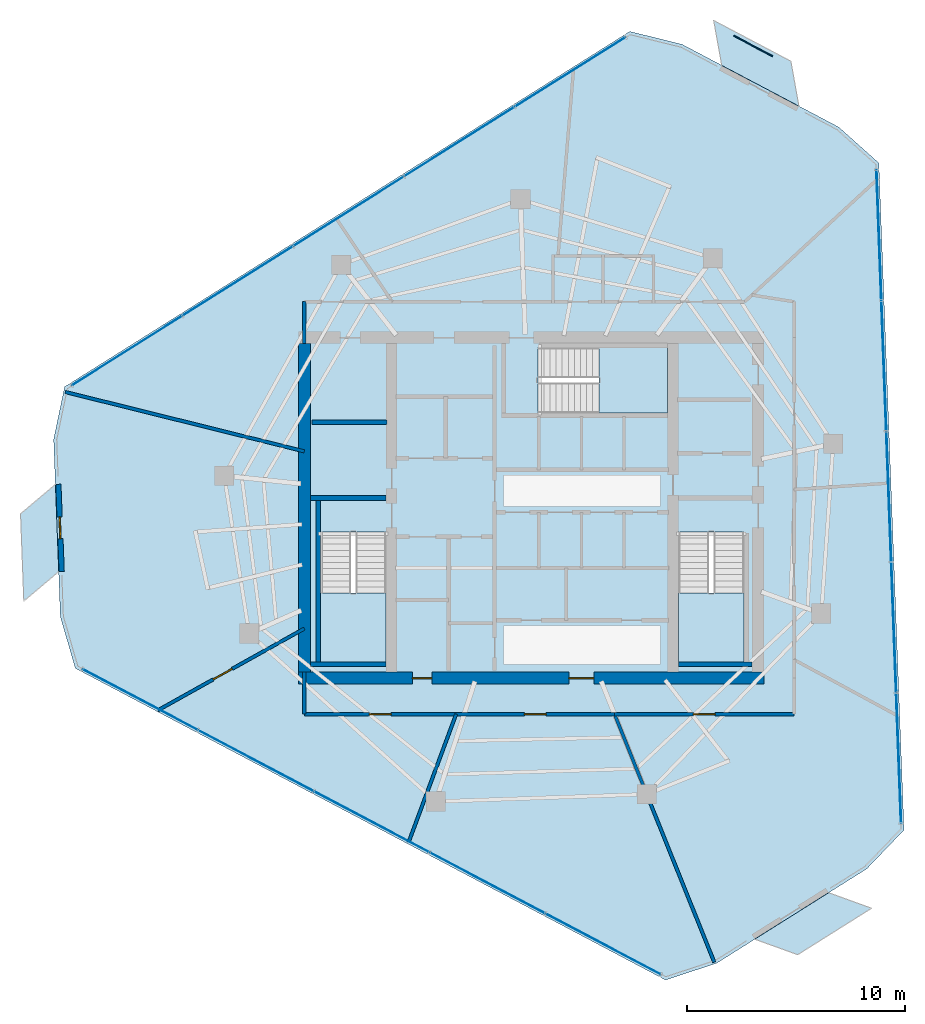
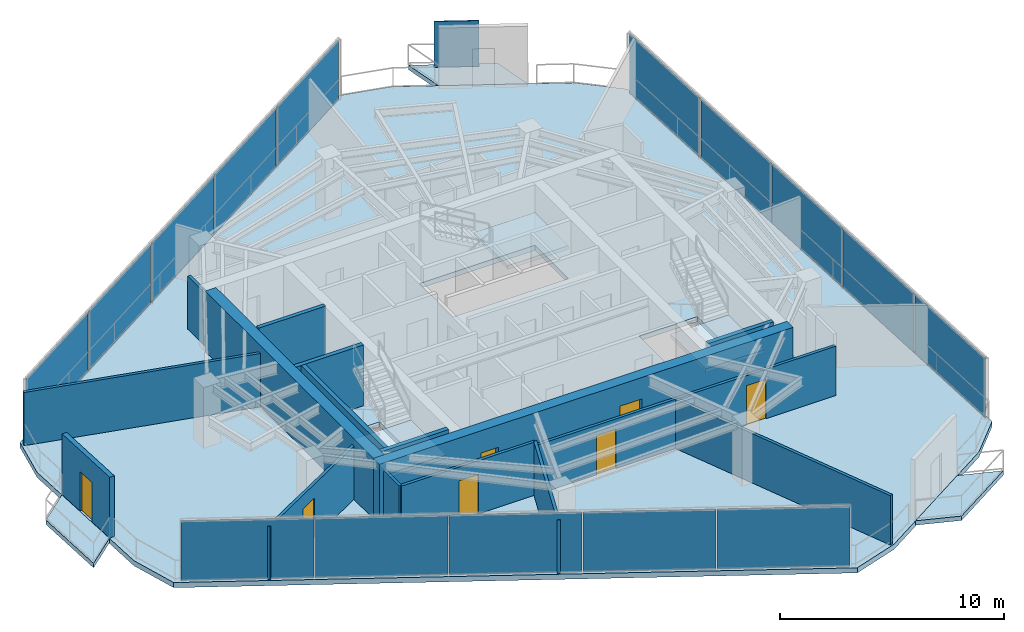
# One storey, part 14 of 19: 17 walls, 16 plates, 7 doors, 7 slabs, 7 openings, 6 elements without a shape of their own.
"""IFC4 building model written with IfcOpenShell, lengths in metres."""

from ifc_helpers import new_model, si_unit, direction, frame, frame_2d, origin, origin_2d, place, context, subcontext, project, spatial, polyline, rectangle, outline, extrude, material, layer, layer_set, type_object, element, fill, aggregate, save


model = new_model("IFC4")

# Units and contexts
model_context = context("Model", 3, precision=1e-05, world=origin(), true_north=direction((0.0, 1.0)))
body_context = subcontext(model_context, "Body", "Model", "MODEL_VIEW")
ifc_project = project(units=[si_unit("LENGTHUNIT", "METRE"), si_unit("AREAUNIT", "SQUARE_METRE"), si_unit("VOLUMEUNIT", "CUBIC_METRE"), si_unit("PLANEANGLEUNIT", "RADIAN"), si_unit("MASSUNIT", "GRAM", prefix="KILO")], contexts=[model_context])

# Site, building, storey
site_placement = place(None, origin())
site = spatial("IfcSite", under=ifc_project, at=site_placement, CompositionType="ELEMENT")
building_placement = place(site_placement, origin())
building = spatial("IfcBuilding", under=site, at=building_placement, Name="Qarnah Convention Tower", CompositionType="ELEMENT")
storey_placement = place(building_placement, frame((0.0, 0.0, 187.800048828125)))
storey = spatial("IfcBuildingStorey", under=building, at=storey_placement, Name="L50", CompositionType="ELEMENT", Elevation=187.800048828125)

# Curtain wall, plates
ifc_material_1 = material(Name="Tempered Low-E dark glass", Category="glass")
ifc_layer_1 = layer(ifc_material_1, 0.174072265625)
ifc_layer_set_1 = layer_set([ifc_layer_1], Name="Tempered Low-E dark glass")
curtain_wall_type = type_object("IfcCurtainWallType", Name="CWS-04", PredefinedType="NOTDEFINED", material=ifc_layer_set_1)
curtain_wall_1_placement = place(storey_placement, origin())
curtain_wall_1 = element("IfcCurtainWall", 1, at=curtain_wall_1_placement, inside=storey, type_object=curtain_wall_type, Name="L50 unitised curtain wall CW-L50-F1", PredefinedType="NOTDEFINED")
ifc_layer_2 = layer(ifc_material_1, 0.033935546875)
ifc_layer_set_2 = layer_set([ifc_layer_2], Name="Tempered Low-E dark glass")
plate_type_1 = type_object("IfcPlateType", Name="PNL-T4", PredefinedType="CURTAIN_PANEL", material=ifc_layer_set_2)
plate_1_placement = place(storey_placement, frame((53.13818359375, 38.906982421875, 0.0400390625), z_axis=(0.0, 0.0, 1.0), x_axis=(0.037709646698, -0.999288738326, 0.0)))
plate_1 = element("IfcPlate", 2, at=plate_1_placement, type_object=plate_type_1, Name="CW-L50-F1 curtain panel 1.1", PredefinedType="CURTAIN_PANEL", context=body_context, shape_type="SweptSolid", body=[
    extrude(rectangle(XDim=5.91845703125, YDim=0.033935546875, at=origin_2d()), origin(), (0.0, 0.0, 1.0), 3.239990234375),
])
plate_2_placement = place(storey_placement, frame((53.3642578125, 32.91259765625, 0.0400390625), z_axis=(0.0, 0.0, 1.0), x_axis=(0.037709646698, -0.999288738326, 0.0)))
plate_2 = element("IfcPlate", 3, at=plate_2_placement, type_object=plate_type_1, Name="CW-L50-F1 curtain panel 2.1", PredefinedType="CURTAIN_PANEL", context=body_context, shape_type="SweptSolid", body=[
    extrude(rectangle(XDim=5.91845703125, YDim=0.033935546875, at=origin_2d()), origin(), (0.0, 0.0, 1.0), 3.239990234375),
])
plate_3_placement = place(storey_placement, frame((53.590576171875, 26.91845703125, 0.0400390625), z_axis=(0.0, 0.0, 1.0), x_axis=(0.037709646698, -0.999288738326, 0.0)))
plate_3 = element("IfcPlate", 4, at=plate_3_placement, type_object=plate_type_1, Name="CW-L50-F1 curtain panel 3.1", PredefinedType="CURTAIN_PANEL", context=body_context, shape_type="SweptSolid", body=[
    extrude(rectangle(XDim=5.91845703125, YDim=0.033935546875, at=origin_2d()), origin(), (0.0, 0.0, 1.0), 3.239990234375),
])
plate_4_placement = place(storey_placement, frame((53.816650390625, 20.92431640625, 0.0400390625), z_axis=(0.0, 0.0, 1.0), x_axis=(0.037709646698, -0.999288738326, 0.0)))
plate_4 = element("IfcPlate", 5, at=plate_4_placement, type_object=plate_type_1, Name="CW-L50-F1 curtain panel 4.1", PredefinedType="CURTAIN_PANEL", context=body_context, shape_type="SweptSolid", body=[
    extrude(rectangle(XDim=5.91845703125, YDim=0.033935546875, at=origin_2d()), origin(), (0.0, 0.0, 1.0), 3.239990234375),
])
plate_5_placement = place(storey_placement, frame((54.04296875, 14.93017578125, 0.0400390625), z_axis=(0.0, 0.0, 1.0), x_axis=(0.037709646698, -0.999288738326, 0.0)))
plate_5 = element("IfcPlate", 6, at=plate_5_placement, type_object=plate_type_1, Name="CW-L50-F1 curtain panel 5.1", PredefinedType="CURTAIN_PANEL", context=body_context, shape_type="SweptSolid", body=[
    extrude(rectangle(XDim=5.91845703125, YDim=0.033935546875, at=origin_2d()), origin(), (0.0, 0.0, 1.0), 3.239990234375),
])
aggregate(curtain_wall_1, [plate_1, plate_2, plate_3, plate_4, plate_5])

curtain_wall_2_placement = place(storey_placement, origin())
curtain_wall_2 = element("IfcCurtainWall", 7, at=curtain_wall_2_placement, inside=storey, type_object=curtain_wall_type, Name="L50 unitised curtain wall CW-L50-F2", PredefinedType="NOTDEFINED")
plate_6_placement = place(storey_placement, frame((40.494873046875, 6.41162109375, 0.0400390625), z_axis=(0.0, 0.0, 1.0), x_axis=(-0.884263531063, 0.46698823072, 0.0)))
plate_6 = element("IfcPlate", 8, at=plate_6_placement, type_object=plate_type_1, Name="CW-L50-F2 curtain panel 1.1", PredefinedType="CURTAIN_PANEL", context=body_context, shape_type="SweptSolid", body=[
    extrude(rectangle(XDim=5.91845703125, YDim=0.033935546875, at=origin_2d()), origin(), (0.0, 0.0, 1.0), 3.239990234375),
])
plate_7_placement = place(storey_placement, frame((35.190673828125, 9.212890625, 0.0400390625), z_axis=(0.0, 0.0, 1.0), x_axis=(-0.884263531063, 0.46698823072, 0.0)))
plate_7 = element("IfcPlate", 9, at=plate_7_placement, type_object=plate_type_1, Name="CW-L50-F2 curtain panel 2.1", PredefinedType="CURTAIN_PANEL", context=body_context, shape_type="SweptSolid", body=[
    extrude(rectangle(XDim=5.91845703125, YDim=0.033935546875, at=origin_2d()), origin(), (0.0, 0.0, 1.0), 3.239990234375),
])
plate_8_placement = place(storey_placement, frame((29.886474609375, 12.013916015625, 0.0400390625), z_axis=(0.0, 0.0, 1.0), x_axis=(-0.884263531063, 0.46698823072, 0.0)))
plate_8 = element("IfcPlate", 10, at=plate_8_placement, type_object=plate_type_1, Name="CW-L50-F2 curtain panel 3.1", PredefinedType="CURTAIN_PANEL", context=body_context, shape_type="SweptSolid", body=[
    extrude(rectangle(XDim=5.91845703125, YDim=0.033935546875, at=origin_2d()), origin(), (0.0, 0.0, 1.0), 3.239990234375),
])
plate_9_placement = place(storey_placement, frame((24.582275390625, 14.815185546875, 0.0400390625), z_axis=(0.0, 0.0, 1.0), x_axis=(-0.884263531063, 0.46698823072, 0.0)))
plate_9 = element("IfcPlate", 11, at=plate_9_placement, type_object=plate_type_1, Name="CW-L50-F2 curtain panel 4.1", PredefinedType="CURTAIN_PANEL", context=body_context, shape_type="SweptSolid", body=[
    extrude(rectangle(XDim=5.91845703125, YDim=0.033935546875, at=origin_2d()), origin(), (0.0, 0.0, 1.0), 3.239990234375),
])
plate_10_placement = place(storey_placement, frame((19.278076171875, 17.616455078125, 0.0400390625), z_axis=(0.0, 0.0, 1.0), x_axis=(-0.884263531063, 0.46698823072, 0.0)))
plate_10 = element("IfcPlate", 12, at=plate_10_placement, type_object=plate_type_1, Name="CW-L50-F2 curtain panel 5.1", PredefinedType="CURTAIN_PANEL", context=body_context, shape_type="SweptSolid", body=[
    extrude(rectangle(XDim=5.91845703125, YDim=0.033935546875, at=origin_2d()), origin(), (0.0, 0.0, 1.0), 3.239990234375),
])
aggregate(curtain_wall_2, [plate_6, plate_7, plate_8, plate_9, plate_10])

curtain_wall_3_placement = place(storey_placement, origin())
curtain_wall_3 = element("IfcCurtainWall", 13, at=curtain_wall_3_placement, inside=storey, type_object=curtain_wall_type, Name="L50 unitised curtain wall CW-L50-F3", PredefinedType="NOTDEFINED")
plate_11_placement = place(storey_placement, frame((18.675048828125, 33.609375, 0.0400390625), z_axis=(0.0, 0.0, 1.0), x_axis=(0.846567866925, 0.532280796845, 0.0)))
plate_11 = element("IfcPlate", 14, at=plate_11_placement, type_object=plate_type_1, Name="CW-L50-F3 curtain panel 1.1", PredefinedType="CURTAIN_PANEL", context=body_context, shape_type="SweptSolid", body=[
    extrude(rectangle(XDim=5.91845703125, YDim=0.033935546875, at=origin_2d()), origin(), (0.0, 0.0, 1.0), 3.239990234375),
])
plate_12_placement = place(storey_placement, frame((23.7529296875, 36.80224609375, 0.0400390625), z_axis=(0.0, 0.0, 1.0), x_axis=(0.846567866925, 0.532280796845, 0.0)))
plate_12 = element("IfcPlate", 15, at=plate_12_placement, type_object=plate_type_1, Name="CW-L50-F3 curtain panel 2.1", PredefinedType="CURTAIN_PANEL", context=body_context, shape_type="SweptSolid", body=[
    extrude(rectangle(XDim=5.91845703125, YDim=0.033935546875, at=origin_2d()), origin(), (0.0, 0.0, 1.0), 3.239990234375),
])
plate_13_placement = place(storey_placement, frame((28.8310546875, 39.9951171875, 0.0400390625), z_axis=(0.0, 0.0, 1.0), x_axis=(0.846567866925, 0.532280796845, 0.0)))
plate_13 = element("IfcPlate", 16, at=plate_13_placement, type_object=plate_type_1, Name="CW-L50-F3 curtain panel 3.1", PredefinedType="CURTAIN_PANEL", context=body_context, shape_type="SweptSolid", body=[
    extrude(rectangle(XDim=5.91845703125, YDim=0.033935546875, at=origin_2d()), origin(), (0.0, 0.0, 1.0), 3.239990234375),
])
plate_14_placement = place(storey_placement, frame((33.908935546875, 43.187744140625, 0.0400390625), z_axis=(0.0, 0.0, 1.0), x_axis=(0.846567866925, 0.532280796845, 0.0)))
plate_14 = element("IfcPlate", 17, at=plate_14_placement, type_object=plate_type_1, Name="CW-L50-F3 curtain panel 4.1", PredefinedType="CURTAIN_PANEL", context=body_context, shape_type="SweptSolid", body=[
    extrude(rectangle(XDim=5.91845703125, YDim=0.033935546875, at=origin_2d()), origin(), (0.0, 0.0, 1.0), 3.239990234375),
])
plate_15_placement = place(storey_placement, frame((38.987060546875, 46.380615234375, 0.0400390625), z_axis=(0.0, 0.0, 1.0), x_axis=(0.846567866925, 0.532280796845, 0.0)))
plate_15 = element("IfcPlate", 18, at=plate_15_placement, type_object=plate_type_1, Name="CW-L50-F3 curtain panel 5.1", PredefinedType="CURTAIN_PANEL", context=body_context, shape_type="SweptSolid", body=[
    extrude(rectangle(XDim=5.91845703125, YDim=0.033935546875, at=origin_2d()), origin(), (0.0, 0.0, 1.0), 3.239990234375),
])
aggregate(curtain_wall_3, [plate_11, plate_12, plate_13, plate_14, plate_15])

# Plate
ifc_material_2 = material(Name="Black anodised aluminium", Category="aluminium")
ifc_layer_3 = layer(ifc_material_2, 0.044921875)
ifc_layer_set_3 = layer_set([ifc_layer_3], Name="Black anodised aluminium")
plate_type_2 = type_object("IfcPlateType", Name="SCR-BAL-18", PredefinedType="USERDEFINED", material=ifc_layer_set_3)
plate_16_placement = place(storey_placement, frame((47.3740234375, 47.571044921875, 0.0), z_axis=(0.0, 0.0, 1.0), x_axis=(0.884255975451, -0.467002537338, 0.0)))
element("IfcPlate", 19, at=plate_16_placement, inside=storey, type_object=plate_type_2, Name="L50 perforated desert solar screen BAL-L50-C1", ObjectType="SCREEN", PredefinedType="USERDEFINED", context=body_context, shape_type="SweptSolid", body=[
    extrude(rectangle(XDim=2.0, YDim=0.044921875, at=origin_2d()), origin(), (0.0, 0.0, 1.0), 2.5),
])

# Slabs
ifc_material_3 = material(Name="Concrete C45/55", Category="concrete")
ifc_layer_4 = layer(ifc_material_3, 0.239990234375)
ifc_layer_set_4 = layer_set([ifc_layer_4], Name="Concrete C45/55")
slab_type_1 = type_object("IfcSlabType", Name="SLB-BAL-240", PredefinedType="USERDEFINED", material=ifc_layer_set_4)
slab_1_placement = place(storey_placement, frame((0.0, 0.0, -0.239990234375)))
element("IfcSlab", 20, at=slab_1_placement, inside=storey, type_object=slab_type_1, Name="L50 cantilevered balcony slab BAL-L50-C1", ObjectType="BALCONY", PredefinedType="USERDEFINED", context=body_context, shape_type="SweptSolid", body=[
    extrude(outline(polyline([(45.56298828125, 48.740966796875), (49.10009765625, 46.873046875), (49.469970703125, 44.81298828125), (45.93310546875, 46.680908203125), (45.56298828125, 48.740966796875)])), origin(), (0.0, 0.0, 1.0), 0.239990234375),
])
slab_2_placement = place(storey_placement, frame((0.0, 0.0, -0.239990234375)))
element("IfcSlab", 21, at=slab_2_placement, inside=storey, type_object=slab_type_1, Name="L50 cantilevered balcony slab BAL-L50-C2", ObjectType="BALCONY", PredefinedType="USERDEFINED", context=body_context, shape_type="SweptSolid", body=[
    extrude(outline(polyline([(13.946044921875, 22.132080078125), (13.794921875, 26.12890625), (15.39404296875, 27.47802734375), (15.544921875, 23.48095703125), (13.946044921875, 22.132080078125)])), origin(), (0.0, 0.0, 1.0), 0.239990234375),
])
slab_3_placement = place(storey_placement, frame((0.0, 0.0, -0.239990234375)))
element("IfcSlab", 22, at=slab_3_placement, inside=storey, type_object=slab_type_1, Name="L50 cantilevered balcony slab BAL-L50-C3", ObjectType="BALCONY", PredefinedType="USERDEFINED", context=body_context, shape_type="SweptSolid", body=[
    extrude(outline(polyline([(52.799072265625, 8.053955078125), (49.4130859375, 5.925048828125), (47.444091796875, 6.635986328125), (50.830078125, 8.764892578125), (52.799072265625, 8.053955078125)])), origin(), (0.0, 0.0, 1.0), 0.239990234375),
])

# Stair, slab
ifc_material_4 = material(Name="Concrete C50/60", Category="concrete")
stair_type = type_object("IfcStairType", Name="STR-OFF", PredefinedType="HALF_TURN_STAIR", material=ifc_material_4)
stair_1_placement = place(storey_placement, origin())
stair_1 = element("IfcStair", 23, at=stair_1_placement, inside=storey, type_object=stair_type, Name="L50 Core exit stair ST-1", PredefinedType="HALF_TURN_STAIR")
ifc_layer_5 = layer(ifc_material_4, 0.199951171875)
ifc_layer_set_5 = layer_set([ifc_layer_5], Name="Concrete C50/60")
slab_type_2 = type_object("IfcSlabType", Name="SLB-LANDING-200", PredefinedType="LANDING", material=ifc_layer_set_5)
slab_4_placement = place(storey_placement, frame((0.0, 0.0, 1.599853515625)))
slab_4 = element("IfcSlab", 24, at=slab_4_placement, type_object=slab_type_2, Name="ST-1 landing 1", PredefinedType="LANDING", context=body_context, shape_type="SweptSolid", body=[
    extrude(outline(polyline([(27.550048828125, 22.5), (27.550048828125, 19.35009765625), (30.550048828125, 19.35009765625), (30.550048828125, 22.5), (27.550048828125, 22.5)])), origin(), (0.0, 0.0, 1.0), 0.2001953125),
])
aggregate(stair_1, [slab_4])

stair_2_placement = place(storey_placement, origin())
stair_2 = element("IfcStair", 25, at=stair_2_placement, inside=storey, type_object=stair_type, Name="L50 Core exit stair ST-2", PredefinedType="HALF_TURN_STAIR")
slab_5_placement = place(storey_placement, frame((0.0, 0.0, 1.599853515625)))
slab_5 = element("IfcSlab", 26, at=slab_5_placement, type_object=slab_type_2, Name="ST-2 landing 1", PredefinedType="LANDING", context=body_context, shape_type="SweptSolid", body=[
    extrude(outline(polyline([(43.949951171875, 22.5), (43.949951171875, 19.35009765625), (46.949951171875, 19.35009765625), (46.949951171875, 22.5), (43.949951171875, 22.5)])), origin(), (0.0, 0.0, 1.0), 0.2001953125),
])
aggregate(stair_2, [slab_5])

stair_3_placement = place(storey_placement, origin())
stair_3 = element("IfcStair", 27, at=stair_3_placement, inside=storey, type_object=stair_type, Name="L50 Core exit stair ST-3", PredefinedType="HALF_TURN_STAIR")
slab_6_placement = place(storey_placement, frame((0.0, 0.0, 1.599853515625)))
slab_6 = element("IfcSlab", 28, at=slab_6_placement, type_object=slab_type_2, Name="ST-3 landing 1", PredefinedType="LANDING", context=body_context, shape_type="SweptSolid", body=[
    extrude(outline(polyline([(40.300048828125, 30.75), (43.449951171875, 30.75), (43.449951171875, 33.75), (40.300048828125, 33.75), (40.300048828125, 30.75)])), origin(), (0.0, 0.0, 1.0), 0.2001953125),
])
aggregate(stair_3, [slab_6])

# Slab
ifc_layer_6 = layer(ifc_material_3, 0.280029296875)
ifc_layer_set_6 = layer_set([ifc_layer_6], Name="Concrete C45/55")
slab_type_3 = type_object("IfcSlabType", Name="SLB-TWR-280", PredefinedType="FLOOR", material=ifc_layer_set_6)
slab_7_placement = place(storey_placement, frame((0.0, 0.0, -0.280029296875)))
element("IfcSlab", 29, at=slab_7_placement, inside=storey, type_object=slab_type_3, Name="L50 structural floor slab", PredefinedType="FLOOR", context=body_context, shape_type="SweptSolid", body=[
    extrude(outline(polyline([(41.716064453125, 48.238037109375), (15.818115234375, 31.955078125), (15.31201171875, 29.5400390625), (15.618896484375, 21.419921875), (16.304931640625, 19.051025390625), (43.35595703125, 4.764892578125), (45.699951171875, 5.533935546875), (52.577880859375, 9.85888671875), (54.287109375, 11.637939453125), (53.134033203125, 42.2080078125), (51.2958984375, 43.85302734375), (44.111083984375, 47.64794921875), (41.716064453125, 48.238037109375)]), holes=[polyline([(27.550048828125, 25.300048828125), (27.550048828125, 19.35009765625), (30.550048828125, 19.35009765625), (30.550048828125, 25.300048828125), (27.550048828125, 25.300048828125)]), polyline([(43.949951171875, 25.300048828125), (43.949951171875, 19.35009765625), (46.949951171875, 19.35009765625), (46.949951171875, 25.300048828125), (43.949951171875, 25.300048828125)]), polyline([(37.5, 30.75), (43.449951171875, 30.75), (43.449951171875, 33.75), (37.5, 33.75), (37.5, 30.75)])]), origin(), (0.0, 0.0, 1.0), 0.280029296875),
])

# Wall, openings, doors
ifc_material_5 = material(Name="Concrete C60/75", Category="concrete")
ifc_layer_7 = layer(ifc_material_5, 0.550048828125)
ifc_layer_set_7 = layer_set([ifc_layer_7], Name="Concrete C60/75")
wall_type_1 = type_object("IfcWallType", Name="WL-CORE-550", PredefinedType="SHEAR", material=ifc_layer_set_7)
wall_1_placement = place(storey_placement, frame((26.52490234375, 18.60009765625, 0.0), z_axis=(0.0, 0.0, 1.0), x_axis=(1.0, 0.0, 0.0)))
wall_1 = element("IfcWall", 30, at=wall_1_placement, inside=storey, type_object=wall_type_1, Name="L50 core south shear wall", PredefinedType="SHEAR", context=body_context, shape_type="SweptSolid", body=[
    extrude(rectangle(XDim=21.35009765625, YDim=0.550048828125, at=frame_2d((10.675048828125, 0.0))), origin(), (0.0, 0.0, 1.0), 3.320068359375),
])
opening_1_placement = place(wall_1_placement, frame((12.39990234375, 0.0, 0.0)))
opening_1 = element("IfcOpeningElement", 31, at=opening_1_placement, cuts=wall_1, Name="Opening D-5007", PredefinedType="OPENING", context=body_context, shape_type="SweptSolid", body=[
    extrude(rectangle(XDim=1.14990234375, YDim=2.14990234375, at=frame_2d((0.574951171875, 1.074951171875))), frame((0.0, 0.284912109375, 0.0), z_axis=(0.0, -1.0, 0.0), x_axis=(1.0, 0.0, 0.0)), (0.0, 0.0, 1.0), 0.570068359375),
])
opening_2_placement = place(wall_1_placement, frame((5.22509765625, 0.0, 0.0)))
opening_2 = element("IfcOpeningElement", 32, at=opening_2_placement, cuts=wall_1, Name="Opening D-5013", PredefinedType="OPENING", context=body_context, shape_type="SweptSolid", body=[
    extrude(rectangle(XDim=0.89990234375, YDim=2.10009765625, at=frame_2d((0.449951171875, 1.050048828125))), frame((0.0, 0.284912109375, 0.0), z_axis=(0.0, -1.0, 0.0), x_axis=(1.0, 0.0, 0.0)), (0.0, 0.0, 1.0), 0.570068359375),
])
ifc_material_6 = material(Name="Structural steel S355JR", Category="steel")
door_type_1 = type_object("IfcDoorType", Name="DT-LOBBY-1150", OperationType="NOTDEFINED", PredefinedType="DOOR", material=ifc_material_6)
door_1_placement = place(opening_1_placement, origin())
door_1 = element("IfcDoor", 33, at=door_1_placement, inside=storey, type_object=door_type_1, Name="Door D-5007", OperationType="SINGLE_SWING_RIGHT", OverallHeight=2.14990234375, OverallWidth=1.14990234375, PredefinedType="DOOR", context=body_context, shape_type="SweptSolid", body=[
    extrude(rectangle(XDim=1.14990234375, YDim=2.14990234375, at=frame_2d((0.574951171875, 1.074951171875))), frame((0.0, 0.02490234375, 0.0), z_axis=(0.0, -1.0, 0.0), x_axis=(1.0, 0.0, 0.0)), (0.0, 0.0, 1.0), 0.050048828125),
])
fill(opening_1, door_1)
door_type_2 = type_object("IfcDoorType", Name="DT-RISER-900", OperationType="NOTDEFINED", PredefinedType="DOOR", material=ifc_material_6)
door_2_placement = place(opening_2_placement, origin())
door_2 = element("IfcDoor", 34, at=door_2_placement, inside=storey, type_object=door_type_2, Name="Door D-5013", OperationType="SINGLE_SWING_RIGHT", OverallHeight=2.10009765625, OverallWidth=0.89990234375, PredefinedType="DOOR", context=body_context, shape_type="SweptSolid", body=[
    extrude(rectangle(XDim=0.89990234375, YDim=2.10009765625, at=frame_2d((0.449951171875, 1.050048828125))), frame((0.0, 0.02490234375, 0.0), z_axis=(0.0, -1.0, 0.0), x_axis=(1.0, 0.0, 0.0)), (0.0, 0.0, 1.0), 0.050048828125),
])
fill(opening_2, door_2)

# Walls
wall_2_placement = place(storey_placement, frame((26.800048828125, 18.875, 0.0), z_axis=(0.0, 0.0, 1.0), x_axis=(0.0, 1.0, 0.0)))
element("IfcWall", 35, at=wall_2_placement, inside=storey, type_object=wall_type_1, Name="L50 core west shear wall", PredefinedType="SHEAR", context=body_context, shape_type="SweptSolid", body=[
    extrude(rectangle(XDim=15.050048828125, YDim=0.550048828125, at=frame_2d((7.52490234375, 0.0))), origin(), (0.0, 0.0, 1.0), 3.320068359375),
])
ifc_layer_8 = layer(ifc_material_3, 0.199951171875)
ifc_layer_set_8 = layer_set([ifc_layer_8], Name="Concrete C45/55")
wall_type_2 = type_object("IfcWallType", Name="WL-CORE-PART-200", PredefinedType="SOLIDWALL", material=ifc_layer_set_8)
wall_3_placement = place(storey_placement, frame((27.14990234375, 30.320068359375, 0.0), z_axis=(0.0, 0.0, 1.0), x_axis=(1.0, 0.0, 0.0)))
element("IfcWall", 36, at=wall_3_placement, inside=storey, type_object=wall_type_2, Name="L50 interior wall IW-L50-ELRN", PredefinedType="SOLIDWALL", context=body_context, shape_type="SweptSolid", body=[
    extrude(rectangle(XDim=3.4501953125, YDim=0.199951171875, at=frame_2d((1.72509765625, 0.0))), origin(), (0.0, 0.0, 1.0), 3.320068359375),
])
ifc_layer_9 = layer(ifc_material_5, 0.219970703125)
ifc_layer_set_9 = layer_set([ifc_layer_9], Name="Concrete C60/75")
wall_type_3 = type_object("IfcWallType", Name="WL-CORE-STAIR-220", PredefinedType="SHEAR", material=ifc_layer_set_9)
wall_4_placement = place(storey_placement, frame((27.074951171875, 26.860107421875, 0.0), z_axis=(0.0, 0.0, 1.0), x_axis=(1.0, 0.0, 0.0)))
element("IfcWall", 37, at=wall_4_placement, inside=storey, type_object=wall_type_3, Name="L50 stair shaft shear wall SW-L50-ST1N", PredefinedType="SHEAR", context=body_context, shape_type="SweptSolid", body=[
    extrude(rectangle(XDim=3.47509765625, YDim=0.219970703125, at=frame_2d((1.737548828125, 0.0))), origin(), (0.0, 0.0, 1.0), 3.320068359375),
])
wall_5_placement = place(storey_placement, frame((27.43994140625, 19.35009765625, 0.0), z_axis=(0.0, 0.0, 1.0), x_axis=(0.0, 1.0, 0.0)))
element("IfcWall", 38, at=wall_5_placement, inside=storey, type_object=wall_type_3, Name="L50 stair shaft shear wall SW-L50-ST1W", PredefinedType="SHEAR", context=body_context, shape_type="SweptSolid", body=[
    extrude(rectangle(XDim=7.39990234375, YDim=0.219970703125, at=frame_2d((3.699951171875, 0.0))), origin(), (0.0, 0.0, 1.0), 3.320068359375),
])
wall_6_placement = place(storey_placement, frame((27.074951171875, 19.239990234375, 0.0), z_axis=(0.0, 0.0, 1.0), x_axis=(1.0, 0.0, 0.0)))
element("IfcWall", 39, at=wall_6_placement, inside=storey, type_object=wall_type_3, Name="L50 stair shaft shear wall SW-L50-ST1S", PredefinedType="SHEAR", context=body_context, shape_type="SweptSolid", body=[
    extrude(rectangle(XDim=3.47509765625, YDim=0.219970703125, at=frame_2d((1.737548828125, 0.0))), origin(), (0.0, 0.0, 1.0), 3.320068359375),
])
wall_7_placement = place(storey_placement, frame((43.949951171875, 19.239990234375, 0.0), z_axis=(0.0, 0.0, 1.0), x_axis=(1.0, 0.0, 0.0)))
element("IfcWall", 40, at=wall_7_placement, inside=storey, type_object=wall_type_3, Name="L50 stair shaft shear wall SW-L50-ST2S", PredefinedType="SHEAR", context=body_context, shape_type="SweptSolid", body=[
    extrude(rectangle(XDim=3.375, YDim=0.219970703125, at=frame_2d((1.6875, 0.0))), origin(), (0.0, 0.0, 1.0), 3.320068359375),
])

# Wall, opening, door
ifc_material_7 = material(Name="Precast concrete C45/55", Category="concrete")
ifc_layer_10 = layer(ifc_material_7, 0.239990234375)
ifc_layer_set_10 = layer_set([ifc_layer_10], Name="Precast concrete C45/55")
wall_type_4 = type_object("IfcWallType", Name="WL-EXT-BAL-240", PredefinedType="SOLIDWALL", material=ifc_layer_set_10)
wall_8_placement = place(storey_placement, frame((15.680908203125, 23.487060546875, 0.0), z_axis=(0.0, 0.0, 1.0), x_axis=(-0.037722810655, 0.999288241478, 0.0)))
wall_8 = element("IfcWall", 41, at=wall_8_placement, inside=storey, type_object=wall_type_4, Name="L50 loggia threshold wall BAL-L50-C2", PredefinedType="SOLIDWALL", context=body_context, shape_type="SweptSolid", body=[
    extrude(rectangle(XDim=3.999755859375, YDim=0.239990234375, at=frame_2d((2.0, 0.0))), origin(), (0.0, 0.0, 1.0), 3.320068359375),
])
opening_3_placement = place(wall_8_placement, frame((1.5, 0.0, 0.0)))
opening_3 = element("IfcOpeningElement", 42, at=opening_3_placement, cuts=wall_8, Name="Opening BD-5002", PredefinedType="OPENING", context=body_context, shape_type="SweptSolid", body=[
    extrude(rectangle(XDim=1.0, YDim=2.14990234375, at=frame_2d((0.5, 1.074951171875))), frame((0.0, 0.1298828125, 0.0), z_axis=(0.0, -1.0, 0.0), x_axis=(1.0, 0.0, 0.0)), (0.0, 0.0, 1.0), 0.260009765625),
])
door_type_3 = type_object("IfcDoorType", Name="DT-BAL-1000", OperationType="NOTDEFINED", PredefinedType="DOOR", material=ifc_material_2)
door_3_placement = place(opening_3_placement, origin())
door_3 = element("IfcDoor", 43, at=door_3_placement, inside=storey, type_object=door_type_3, Name="L50 balcony terrace door BAL-L50-C2", OperationType="SINGLE_SWING_RIGHT", OverallHeight=2.14990234375, OverallWidth=1.0, PredefinedType="DOOR", context=body_context, shape_type="SweptSolid", body=[
    extrude(rectangle(XDim=1.0, YDim=2.14990234375, at=frame_2d((0.5, 1.074951171875))), frame((0.0, 0.02490234375, 0.0), z_axis=(0.0, -1.0, 0.0), x_axis=(1.0, 0.0, 0.0)), (0.0, 0.0, 1.0), 0.050048828125),
])
fill(opening_3, door_3)

# Walls
ifc_material_8 = material(Name="Gypsum partition board")
ifc_layer_11 = layer(ifc_material_8, 0.14990234375)
ifc_layer_set_11 = layer_set([ifc_layer_11], Name="Gypsum partition board")
wall_type_5 = type_object("IfcWallType", Name="WL-SUITE-150", PredefinedType="PARTITIONING", material=ifc_layer_set_11)
wall_9_placement = place(storey_placement, frame((15.84912109375, 31.7119140625, 0.0), z_axis=(0.0, 0.0, 1.0), x_axis=(0.970531981643, -0.240972348223, 0.0)))
element("IfcWall", 44, at=wall_9_placement, inside=storey, type_object=wall_type_5, Name="L50 interior wall IW-L50-R-17", PredefinedType="PARTITIONING", context=body_context, shape_type="SweptSolid", body=[
    extrude(rectangle(XDim=11.283447265625, YDim=0.14990234375, at=frame_2d((5.6416015625, 0.0))), origin(), (0.0, 0.0, 1.0), 2.905029296875),
])
wall_10_placement = place(storey_placement, frame((26.800048828125, 33.925048828125, 0.0), z_axis=(0.0, 0.0, 1.0), x_axis=(0.0, 1.0, 0.0)))
element("IfcWall", 45, at=wall_10_placement, inside=storey, type_object=wall_type_5, Name="L50 interior wall IW-L50-R-18", PredefinedType="PARTITIONING", context=body_context, shape_type="SweptSolid", body=[
    extrude(rectangle(XDim=1.925048828125, YDim=0.14990234375, at=frame_2d((0.96240234375, 0.0))), origin(), (0.0, 0.0, 1.0), 2.905029296875),
])

# Wall, opening, door
wall_11_placement = place(storey_placement, frame((20.092041015625, 17.1259765625, 0.0), z_axis=(0.0, 0.0, 1.0), x_axis=(0.873190153316, 0.48737968377, 0.0)))
wall_11 = element("IfcWall", 46, at=wall_11_placement, inside=storey, type_object=wall_type_5, Name="L50 interior wall IW-L50-R-20", PredefinedType="PARTITIONING", context=body_context, shape_type="SweptSolid", body=[
    extrude(rectangle(XDim=7.68212890625, YDim=0.14990234375, at=frame_2d((3.841064453125, 0.0))), origin(), (0.0, 0.0, 1.0), 2.905029296875),
])
opening_4_placement = place(wall_11_placement, frame((2.89794921875, 0.0, 0.0)))
opening_4 = element("IfcOpeningElement", 47, at=opening_4_placement, cuts=wall_11, Name="Opening D-5024", PredefinedType="OPENING", context=body_context, shape_type="SweptSolid", body=[
    extrude(rectangle(XDim=1.0, YDim=2.14990234375, at=frame_2d((0.5, 1.074951171875))), frame((0.0, 0.0849609375, 0.0), z_axis=(0.0, -1.0, 0.0), x_axis=(1.0, 0.0, 0.0)), (0.0, 0.0, 1.0), 0.169921875),
])
ifc_material_9 = material(Name="Oak timber veneer", Category="wood")
door_type_4 = type_object("IfcDoorType", Name="DT-OFFICE-1000", OperationType="NOTDEFINED", PredefinedType="DOOR", material=ifc_material_9)
door_4_placement = place(opening_4_placement, origin())
door_4 = element("IfcDoor", 48, at=door_4_placement, inside=storey, type_object=door_type_4, Name="Door D-5024", OperationType="SINGLE_SWING_LEFT", OverallHeight=2.14990234375, OverallWidth=1.0, PredefinedType="DOOR", context=body_context, shape_type="SweptSolid", body=[
    extrude(rectangle(XDim=1.0, YDim=2.14990234375, at=frame_2d((0.5, 1.074951171875))), frame((0.0, 0.02490234375, 0.0), z_axis=(0.0, -1.0, 0.0), x_axis=(1.0, 0.0, 0.0)), (0.0, 0.0, 1.0), 0.050048828125),
])
fill(opening_4, door_4)

# Wall
wall_12_placement = place(storey_placement, frame((31.5810546875, 11.072998046875, 0.0), z_axis=(0.0, 0.0, 1.0), x_axis=(0.34763783064, 0.937628891784, 0.0)))
element("IfcWall", 49, at=wall_12_placement, inside=storey, type_object=wall_type_5, Name="L50 interior wall IW-L50-R-21", PredefinedType="PARTITIONING", context=body_context, shape_type="SweptSolid", body=[
    extrude(rectangle(XDim=6.267822265625, YDim=0.14990234375, at=frame_2d((3.1337890625, 0.0))), origin(), (0.0, 0.0, 1.0), 2.905029296875),
])

# Wall, opening, door
wall_13_placement = place(storey_placement, frame((33.760009765625, 16.949951171875, 0.0), z_axis=(0.0, 0.0, 1.0), x_axis=(-1.0, 0.0, 0.0)))
wall_13 = element("IfcWall", 50, at=wall_13_placement, inside=storey, type_object=wall_type_5, Name="L50 interior wall IW-L50-R-22", PredefinedType="PARTITIONING", context=body_context, shape_type="SweptSolid", body=[
    extrude(rectangle(XDim=6.9599609375, YDim=0.14990234375, at=frame_2d((3.47998046875, 0.0))), origin(), (0.0, 0.0, 1.0), 2.905029296875),
])
opening_5_placement = place(wall_13_placement, frame((2.97998046875, 0.0, 0.0)))
opening_5 = element("IfcOpeningElement", 51, at=opening_5_placement, cuts=wall_13, Name="Opening D-5025", PredefinedType="OPENING", context=body_context, shape_type="SweptSolid", body=[
    extrude(rectangle(XDim=1.0, YDim=2.14990234375, at=frame_2d((0.5, 1.074951171875))), frame((0.0, 0.0849609375, 0.0), z_axis=(0.0, -1.0, 0.0), x_axis=(1.0, 0.0, 0.0)), (0.0, 0.0, 1.0), 0.169921875),
])
door_5_placement = place(opening_5_placement, origin())
door_5 = element("IfcDoor", 52, at=door_5_placement, inside=storey, type_object=door_type_4, Name="Door D-5025", OperationType="SINGLE_SWING_RIGHT", OverallHeight=2.14990234375, OverallWidth=1.0, PredefinedType="DOOR", context=body_context, shape_type="SweptSolid", body=[
    extrude(rectangle(XDim=1.0, YDim=2.14990234375, at=frame_2d((0.5, 1.074951171875))), frame((0.0, 0.02490234375, 0.0), z_axis=(0.0, -1.0, 0.0), x_axis=(1.0, 0.0, 0.0)), (0.0, 0.0, 1.0), 0.050048828125),
])
fill(opening_5, door_5)

# Walls
wall_14_placement = place(storey_placement, frame((26.800048828125, 16.949951171875, 0.0), z_axis=(0.0, 0.0, 1.0), x_axis=(0.0, 1.0, 0.0)))
element("IfcWall", 53, at=wall_14_placement, inside=storey, type_object=wall_type_5, Name="L50 interior wall IW-L50-R-23", PredefinedType="PARTITIONING", context=body_context, shape_type="SweptSolid", body=[
    extrude(rectangle(XDim=1.925048828125, YDim=0.14990234375, at=frame_2d((0.96240234375, 0.0))), origin(), (0.0, 0.0, 1.0), 2.905029296875),
])
wall_15_placement = place(storey_placement, frame((45.590087890625, 5.58203125, 0.0), z_axis=(0.0, 0.0, 1.0), x_axis=(-0.373138622991, 0.927775602197, 0.0)))
element("IfcWall", 54, at=wall_15_placement, inside=storey, type_object=wall_type_5, Name="L50 interior wall IW-L50-R-24", PredefinedType="PARTITIONING", context=body_context, shape_type="SweptSolid", body=[
    extrude(rectangle(XDim=12.2529296875, YDim=0.14990234375, at=frame_2d((6.12646484375, 0.0))), origin(), (0.0, 0.0, 1.0), 2.697021484375),
])

# Wall, opening, door
wall_16_placement = place(storey_placement, frame((41.01806640625, 16.949951171875, 0.0), z_axis=(0.0, 0.0, 1.0), x_axis=(-1.0, 0.0, 0.0)))
wall_16 = element("IfcWall", 55, at=wall_16_placement, inside=storey, type_object=wall_type_5, Name="L50 interior wall IW-L50-R-25", PredefinedType="PARTITIONING", context=body_context, shape_type="SweptSolid", body=[
    extrude(rectangle(XDim=7.258056640625, YDim=0.14990234375, at=frame_2d((3.62890625, 0.0))), origin(), (0.0, 0.0, 1.0), 2.697021484375),
])
opening_6_placement = place(wall_16_placement, frame((3.12890625, 0.0, 0.0)))
opening_6 = element("IfcOpeningElement", 56, at=opening_6_placement, cuts=wall_16, Name="Opening D-5026", PredefinedType="OPENING", context=body_context, shape_type="SweptSolid", body=[
    extrude(rectangle(XDim=1.0, YDim=2.14990234375, at=frame_2d((0.5, 1.074951171875))), frame((0.0, 0.0849609375, 0.0), z_axis=(0.0, -1.0, 0.0), x_axis=(1.0, 0.0, 0.0)), (0.0, 0.0, 1.0), 0.169921875),
])
door_6_placement = place(opening_6_placement, origin())
door_6 = element("IfcDoor", 57, at=door_6_placement, inside=storey, type_object=door_type_4, Name="Door D-5026", OperationType="SINGLE_SWING_LEFT", OverallHeight=2.14990234375, OverallWidth=1.0, PredefinedType="DOOR", context=body_context, shape_type="SweptSolid", body=[
    extrude(rectangle(XDim=1.0, YDim=2.14990234375, at=frame_2d((0.5, 1.074951171875))), frame((0.0, 0.02490234375, 0.0), z_axis=(0.0, -1.0, 0.0), x_axis=(1.0, 0.0, 0.0)), (0.0, 0.0, 1.0), 0.050048828125),
])
fill(opening_6, door_6)

wall_17_placement = place(storey_placement, frame((49.25, 16.949951171875, 0.0), z_axis=(0.0, 0.0, 1.0), x_axis=(-1.0, 0.0, 0.0)))
wall_17 = element("IfcWall", 58, at=wall_17_placement, inside=storey, type_object=wall_type_5, Name="L50 interior wall IW-L50-R-29", PredefinedType="PARTITIONING", context=body_context, shape_type="SweptSolid", body=[
    extrude(rectangle(XDim=8.23193359375, YDim=0.14990234375, at=frame_2d((4.115966796875, 0.0))), origin(), (0.0, 0.0, 1.0), 2.697021484375),
])
opening_7_placement = place(wall_17_placement, frame((3.615966796875, 0.0, 0.0)))
opening_7 = element("IfcOpeningElement", 59, at=opening_7_placement, cuts=wall_17, Name="Opening D-5027", PredefinedType="OPENING", context=body_context, shape_type="SweptSolid", body=[
    extrude(rectangle(XDim=1.0, YDim=2.14990234375, at=frame_2d((0.5, 1.074951171875))), frame((0.0, 0.0849609375, 0.0), z_axis=(0.0, -1.0, 0.0), x_axis=(1.0, 0.0, 0.0)), (0.0, 0.0, 1.0), 0.169921875),
])
door_7_placement = place(opening_7_placement, origin())
door_7 = element("IfcDoor", 60, at=door_7_placement, inside=storey, type_object=door_type_4, Name="Door D-5027", OperationType="SINGLE_SWING_RIGHT", OverallHeight=2.14990234375, OverallWidth=1.0, PredefinedType="DOOR", context=body_context, shape_type="SweptSolid", body=[
    extrude(rectangle(XDim=1.0, YDim=2.14990234375, at=frame_2d((0.5, 1.074951171875))), frame((0.0, 0.02490234375, 0.0), z_axis=(0.0, -1.0, 0.0), x_axis=(1.0, 0.0, 0.0)), (0.0, 0.0, 1.0), 0.050048828125),
])
fill(opening_7, door_7)

save(model, "model.ifc")
